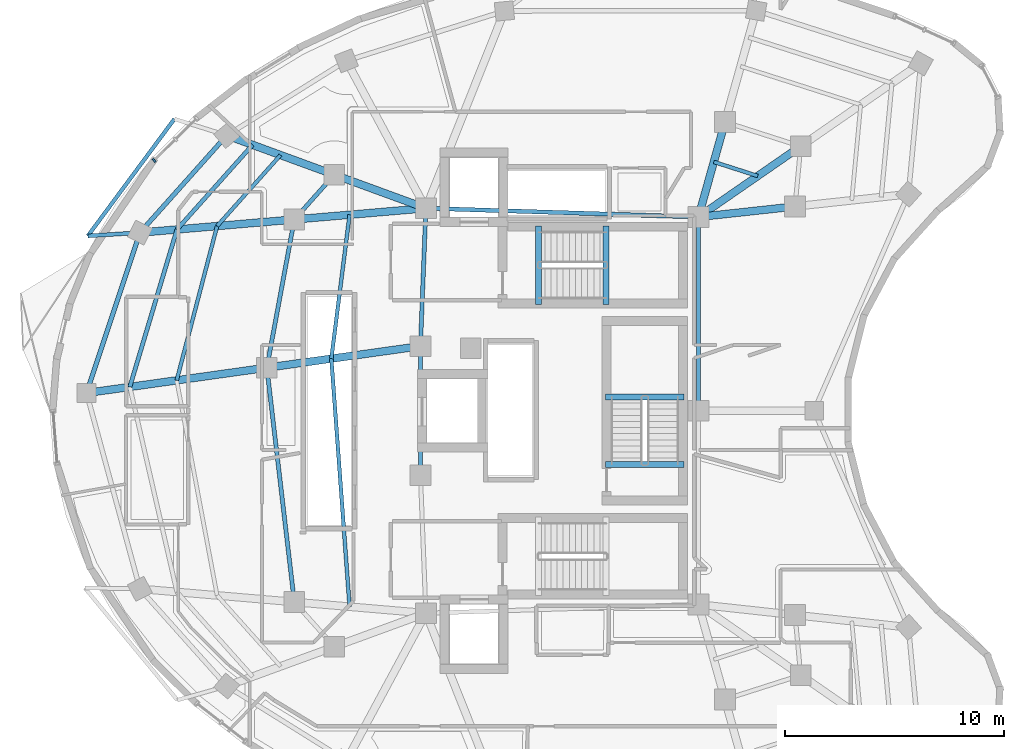
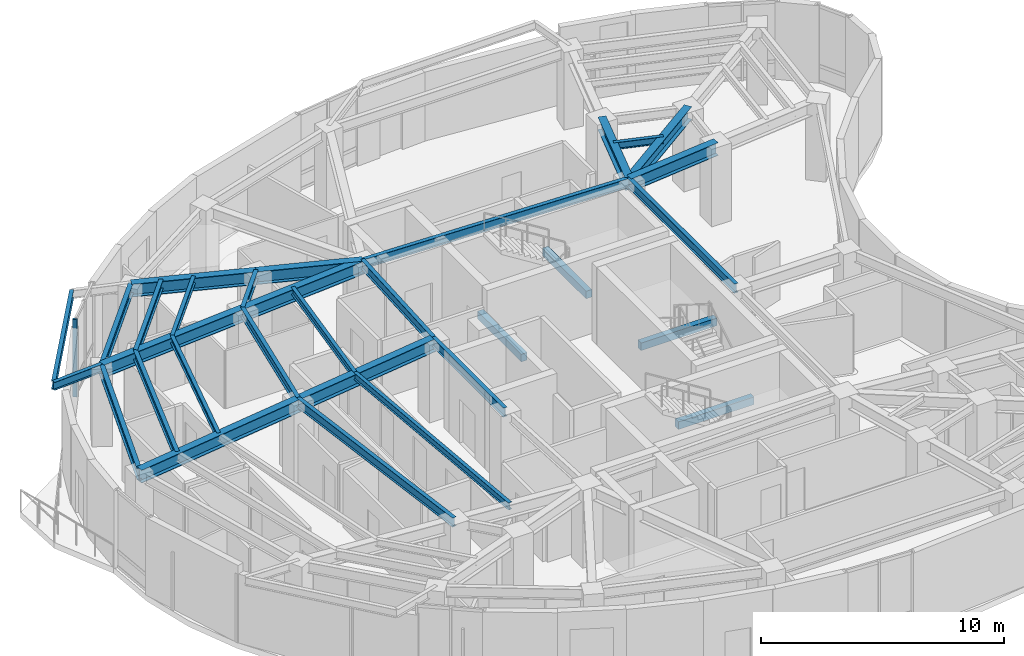
# One storey, part 3 of 14: 31 beams, 1 member, 1 element without a shape of its own.
"""IFC4 building model written with IfcOpenShell, lengths in metres."""

from ifc_helpers import new_model, si_unit, direction, frame, origin, origin_2d, place, context, subcontext, project, spatial, rectangle, i_section, extrude, material, layer, layer_set, material_profile, profile_set, type_object, element, aggregate, save


model = new_model("IFC4")

# Units and contexts
model_context = context("Model", 3, precision=1e-05, world=origin(), true_north=direction((0.0, 1.0)))
body_context = subcontext(model_context, "Body", "Model", "MODEL_VIEW")
ifc_project = project(units=[si_unit("LENGTHUNIT", "METRE"), si_unit("AREAUNIT", "SQUARE_METRE"), si_unit("VOLUMEUNIT", "CUBIC_METRE"), si_unit("PLANEANGLEUNIT", "RADIAN"), si_unit("MASSUNIT", "GRAM", prefix="KILO")], contexts=[model_context])

# Site, building, storey
site_placement = place(None, origin())
site = spatial("IfcSite", under=ifc_project, at=site_placement, CompositionType="ELEMENT")
building_placement = place(site_placement, origin())
building = spatial("IfcBuilding", under=site, at=building_placement, Name="Korentha Bioscience Tower", CompositionType="ELEMENT")
storey_placement = place(building_placement, frame((0.0, 0.0, 264.60009765625)))
storey = spatial("IfcBuildingStorey", under=building, at=storey_placement, Name="L61", CompositionType="ELEMENT", Elevation=264.60009765625)

# Beams
ifc_material_1 = material(Name="Concrete C50", Category="concrete")
ifc_material_profile_1 = material_profile(ifc_material_1, rectangle(XDim=0.280029296875, YDim=0.3798828125, at=origin_2d()), Name="Concrete C50")
ifc_profile_set_1 = profile_set([ifc_material_profile_1], Name="Concrete C50 (ST-HB380)")
beam_type_1 = type_object("IfcBeamType", Name="Concrete Stair Header Beam RC 280x380", PredefinedType="BEAM", material=ifc_profile_set_1)
for number, where, z_axis, x_axis, name in (
    (1, (30.25, 31.85009765625, -0.190185546875), (0.0, 1.0, 0.0), (-1.0, 0.0, 0.0), "L61 ST-1 Concrete Stair Header Beam"),
    (2, (33.330078125, 31.85009765625, 1.909912109375), (0.0, 1.0, 0.0), (-1.0, 0.0, 0.0), "L61 ST-1 Half-Landing Header Beam 1"),
    (3, (36.89990234375, 24.550048828125, -0.190185546875), (-1.0, 0.0, 0.0), (0.0, -1.0, 0.0), "L61 ST-3 Concrete Stair Header Beam"),
    (4, (36.89990234375, 27.6298828125, 1.909912109375), (-1.0, 0.0, 0.0), (0.0, -1.0, 0.0), "L61 ST-3 Half-Landing Header Beam 1"),
):
    element("IfcBeam", number, at=place(storey_placement, frame(where, z_axis=z_axis, x_axis=x_axis)), inside=storey, type_object=beam_type_1, Name=name, PredefinedType="BEAM", context=body_context, shape_type="SweptSolid", body=[
        extrude(rectangle(XDim=0.280029296875, YDim=0.3798828125, at=origin_2d()), origin(), (0.0, 0.0, 1.0), 3.599853515625),
    ])
ifc_material_2 = material(Name="Steel S355", Category="steel")
ifc_material_profile_2 = material_profile(ifc_material_2, i_section(OverallWidth=0.18994140625, OverallDepth=0.45703125, WebThickness=0.009033203125, FlangeThickness=0.014404296875, at=origin_2d()), Name="Steel S355")
ifc_profile_set_2 = profile_set([ifc_material_profile_2], Name="Steel S355 (MB-460)")
beam_type_2 = type_object("IfcBeamType", Name="Mid-Ring Tie Girder W460x74", PredefinedType="BEAM", material=ifc_profile_set_2)
beam_1_placement = place(storey_placement, frame((20.915283203125, 37.78125, 3.67138671875), z_axis=(-0.666159168073, -0.745809602239, 0.0), x_axis=(0.745809602239, -0.666159168073, 0.0)))
element("IfcBeam", 5, at=beam_1_placement, inside=storey, type_object=beam_type_2, Name="L61 Mid-Ring Tie Girder 05", PredefinedType="BEAM", context=body_context, shape_type="SweptSolid", body=[
    extrude(i_section(OverallWidth=0.18994140625, OverallDepth=0.45703125, WebThickness=0.009033203125, FlangeThickness=0.014404296875, at=origin_2d()), origin(), (0.0, 0.0, 1.0), 2.740234375),
])
beam_2_placement = place(storey_placement, frame((19.08984375, 35.737548828125, 3.67138671875), z_axis=(-0.182381206512, -0.98322789602, 0.0), x_axis=(0.98322789602, -0.182381206512, 0.0)))
element("IfcBeam", 6, at=beam_2_placement, inside=storey, type_object=beam_type_2, Name="L61 Mid-Ring Tie Girder 06", PredefinedType="BEAM", context=body_context, shape_type="SweptSolid", body=[
    extrude(i_section(OverallWidth=0.18994140625, OverallDepth=0.45703125, WebThickness=0.009033203125, FlangeThickness=0.014404296875, at=origin_2d()), origin(), (0.0, 0.0, 1.0), 6.88720703125),
])
beam_3_placement = place(storey_placement, frame((17.833740234375, 28.9658203125, 3.67138671875), z_axis=(0.116556015935, -0.993184119461, 0.0), x_axis=(0.993184119461, 0.116556015935, 0.0)))
element("IfcBeam", 7, at=beam_3_placement, inside=storey, type_object=beam_type_2, Name="L61 Mid-Ring Tie Girder 07", PredefinedType="BEAM", context=body_context, shape_type="SweptSolid", body=[
    extrude(i_section(OverallWidth=0.18994140625, OverallDepth=0.45703125, WebThickness=0.009033203125, FlangeThickness=0.014404296875, at=origin_2d()), origin(), (0.0, 0.0, 1.0), 10.77685546875),
])
beam_4_placement = place(storey_placement, frame((37.550048828125, 35.85009765625, 3.67138671875), z_axis=(-0.999484526071, 0.032104238723, 0.0), x_axis=(-0.032104238723, -0.999484526071, 0.0)))
element("IfcBeam", 8, at=beam_4_placement, inside=storey, type_object=beam_type_2, Name="L61 Core Ring Tie Girder 01", PredefinedType="BEAM", context=body_context, shape_type="SweptSolid", body=[
    extrude(i_section(OverallWidth=0.18994140625, OverallDepth=0.45703125, WebThickness=0.009033203125, FlangeThickness=0.014404296875, at=origin_2d()), origin(), (0.0, 0.0, 1.0), 12.456298828125),
])
beam_5_placement = place(storey_placement, frame((25.10009765625, 36.25, 3.67138671875), z_axis=(-0.039651025576, -0.999213588864, 0.0), x_axis=(0.999213588864, -0.039651025576, 0.0)))
element("IfcBeam", 9, at=beam_5_placement, inside=storey, type_object=beam_type_2, Name="L61 Core Ring Tie Girder 02", PredefinedType="BEAM", context=body_context, shape_type="SweptSolid", body=[
    extrude(i_section(OverallWidth=0.18994140625, OverallDepth=0.45703125, WebThickness=0.009033203125, FlangeThickness=0.014404296875, at=origin_2d()), origin(), (0.0, 0.0, 1.0), 6.304931640625),
])
beam_6_placement = place(storey_placement, frame((24.85009765625, 29.949951171875, 3.67138671875), z_axis=(0.0, -1.0, 0.0), x_axis=(1.0, 0.0, 0.0)))
element("IfcBeam", 10, at=beam_6_placement, inside=storey, type_object=beam_type_2, Name="L61 Core Ring Tie Girder 03", PredefinedType="BEAM", context=body_context, shape_type="SweptSolid", body=[
    extrude(i_section(OverallWidth=0.18994140625, OverallDepth=0.45703125, WebThickness=0.009033203125, FlangeThickness=0.014404296875, at=origin_2d()), origin(), (0.0, 0.0, 1.0), 5.89990234375),
])
beam_7_placement = place(storey_placement, frame((37.550048828125, 27.0, 3.67138671875), z_axis=(0.0, 1.0, 0.0), x_axis=(-1.0, 0.0, 0.0)))
element("IfcBeam", 11, at=beam_7_placement, inside=storey, type_object=beam_type_2, Name="L61 Core Ring Tie Girder 07", PredefinedType="BEAM", context=body_context, shape_type="SweptSolid", body=[
    extrude(i_section(OverallWidth=0.18994140625, OverallDepth=0.45703125, WebThickness=0.009033203125, FlangeThickness=0.014404296875, at=origin_2d()), origin(), (0.0, 0.0, 1.0), 8.85009765625),
])

# Curtain wall, member
ifc_material_3 = material(Name="Thermally Broken Aluminium Frame", Category="aluminium")
ifc_layer = layer(ifc_material_3, 0.219970703125, Name="Thermally Broken Aluminium Frame")
ifc_layer_set = layer_set([ifc_layer], Name="Thermally Broken Aluminium Frame (CW-T1)")
curtain_wall_type = type_object("IfcCurtainWallType", Name="Standard Bioscience Lab Unitised Curtain Wall CW-T1", PredefinedType="USERDEFINED", material=ifc_layer_set)
curtain_wall_placement = place(storey_placement, origin())
curtain_wall = element("IfcCurtainWall", 12, at=curtain_wall_placement, inside=storey, type_object=curtain_wall_type, Name="L61 Curtain Wall 13", ObjectType="UNITISED", PredefinedType="USERDEFINED")
ifc_material_4 = material(Name="Anodised Aluminium 6063-T6", Category="aluminium")
ifc_material_profile_3 = material_profile(ifc_material_4, rectangle(XDim=0.090087890625, YDim=0.199951171875, at=origin_2d()), Name="Anodised Aluminium 6063-T6")
ifc_profile_set_3 = profile_set([ifc_material_profile_3], Name="Anodised Aluminium 6063-T6 (CW-MUL)")
member_type = type_object("IfcMemberType", Name="Mullion RECT 90x200", PredefinedType="MULLION", material=ifc_profile_set_3)
member_placement = place(storey_placement, frame((12.680419921875, 38.43603515625, 0.0), z_axis=(0.0, 0.0, 1.0), x_axis=(-0.711397700041, -0.702789664392, 0.0)))
member = element("IfcMember", 13, at=member_placement, type_object=member_type, Name="CW-L61-13 Mullion 3", PredefinedType="MULLION", context=body_context, shape_type="SweptSolid", body=[
    extrude(rectangle(XDim=0.090087890625, YDim=0.199951171875, at=origin_2d()), origin(), (0.0, 0.0, 1.0), 3.89990234375),
])
aggregate(curtain_wall, [member])

# Beams
ifc_material_profile_4 = material_profile(ifc_material_2, i_section(OverallWidth=0.208984375, OverallDepth=0.532958984375, WebThickness=0.01025390625, FlangeThickness=0.015625, at=origin_2d()), Name="Steel S355")
ifc_profile_set_4 = profile_set([ifc_material_profile_4], Name="Steel S355 (SB-530)")
beam_type_3 = type_object("IfcBeamType", Name="Perimeter Ring Spandrel Girder W530x92", PredefinedType="SPANDREL", material=ifc_profile_set_4)
beam_8_placement = place(storey_placement, frame((16.002685546875, 39.57861328125, 3.63330078125), z_axis=(-0.666168059737, -0.745801660086, 0.0), x_axis=(0.745801660086, -0.666168059737, 0.0)))
element("IfcBeam", 14, at=beam_8_placement, inside=storey, type_object=beam_type_3, Name="L61 Perimeter Spandrel Girder 05", PredefinedType="SPANDREL", context=body_context, shape_type="SweptSolid", body=[
    extrude(i_section(OverallWidth=0.208984375, OverallDepth=0.532958984375, WebThickness=0.01025390625, FlangeThickness=0.015625, at=origin_2d()), origin(), (0.0, 0.0, 1.0), 5.956787109375),
])
beam_9_placement = place(storey_placement, frame((12.034423828125, 35.135986328125, 3.63330078125), z_axis=(-0.315658499219, -0.948872863913, 0.0), x_axis=(0.948872863913, -0.315658499219, 0.0)))
element("IfcBeam", 15, at=beam_9_placement, inside=storey, type_object=beam_type_3, Name="L61 Perimeter Spandrel Girder 06", PredefinedType="SPANDREL", context=body_context, shape_type="SweptSolid", body=[
    extrude(i_section(OverallWidth=0.208984375, OverallDepth=0.532958984375, WebThickness=0.01025390625, FlangeThickness=0.015625, at=origin_2d()), origin(), (0.0, 0.0, 1.0), 7.720458984375),
])
ifc_material_profile_5 = material_profile(ifc_material_2, i_section(OverallWidth=0.18994140625, OverallDepth=0.45703125, WebThickness=0.009033203125, FlangeThickness=0.014404296875, at=origin_2d()), Name="Steel S355")
ifc_profile_set_5 = profile_set([ifc_material_profile_5], Name="Steel S355 (RB-460)")
beam_type_4 = type_object("IfcBeamType", Name="Radial Laboratory Beam W460x74", PredefinedType="BEAM", material=ifc_profile_set_5)
beam_10_placement = place(storey_placement, frame((17.181884765625, 39.147216796875, 3.67138671875), z_axis=(-0.666197283, -0.745775556132, 0.0), x_axis=(0.745775556132, -0.666197283, 0.0)))
element("IfcBeam", 16, at=beam_10_placement, inside=storey, type_object=beam_type_4, Name="L61 Secondary Floor Beam JSTO-05", PredefinedType="BEAM", context=body_context, shape_type="SweptSolid", body=[
    extrude(i_section(OverallWidth=0.18994140625, OverallDepth=0.45703125, WebThickness=0.009033203125, FlangeThickness=0.014404296875, at=origin_2d()), origin(), (0.0, 0.0, 1.0), 5.184814453125),
])
beam_11_placement = place(storey_placement, frame((13.727783203125, 35.280517578125, 3.67138671875), z_axis=(-0.28682281491, -0.957983649572, 0.0), x_axis=(0.957983649572, -0.28682281491, 0.0)))
element("IfcBeam", 17, at=beam_11_placement, inside=storey, type_object=beam_type_4, Name="L61 Secondary Floor Beam JSTO-06", PredefinedType="BEAM", context=body_context, shape_type="SweptSolid", body=[
    extrude(i_section(OverallWidth=0.18994140625, OverallDepth=0.45703125, WebThickness=0.009033203125, FlangeThickness=0.014404296875, at=origin_2d()), origin(), (0.0, 0.0, 1.0), 7.50830078125),
])
ifc_material_profile_6 = material_profile(ifc_material_2, i_section(OverallWidth=0.35009765625, OverallDepth=0.64990234375, WebThickness=0.01611328125, FlangeThickness=0.02490234375, at=origin_2d()), Name="Steel S355")
ifc_profile_set_6 = profile_set([ifc_material_profile_6], Name="Steel S355 (RB-650)")
beam_type_5 = type_object("IfcBeamType", Name="Radial Laboratory Girder CVS 650x208", PredefinedType="BEAM", material=ifc_profile_set_6)
beam_12_placement = place(storey_placement, frame((37.550048828125, 35.85009765625, 3.574951171875), z_axis=(0.822500009141, 0.56876509647, 0.0), x_axis=(-0.56876509647, 0.822500009141, 0.0)))
element("IfcBeam", 18, at=beam_12_placement, inside=storey, type_object=beam_type_5, Name="L61 Inner Radial Girder 01", PredefinedType="BEAM", context=body_context, shape_type="SweptSolid", body=[
    extrude(i_section(OverallWidth=0.35009765625, OverallDepth=0.64990234375, WebThickness=0.01611328125, FlangeThickness=0.02490234375, at=origin_2d()), origin(), (0.0, 0.0, 1.0), 5.6796875),
])
beam_13_placement = place(storey_placement, frame((37.550048828125, 35.85009765625, 3.574951171875), z_axis=(0.269471139951, 0.963008465556, 0.0), x_axis=(-0.963008465556, 0.269471139951, 0.0)))
element("IfcBeam", 19, at=beam_13_placement, inside=storey, type_object=beam_type_5, Name="L61 Inner Radial Girder 02", PredefinedType="BEAM", context=body_context, shape_type="SweptSolid", body=[
    extrude(i_section(OverallWidth=0.35009765625, OverallDepth=0.64990234375, WebThickness=0.01611328125, FlangeThickness=0.02490234375, at=origin_2d()), origin(), (0.0, 0.0, 1.0), 4.505615234375),
])
beam_14_placement = place(storey_placement, frame((25.10009765625, 36.25, 3.574951171875), z_axis=(-0.939106897866, 0.343625136422, 0.0), x_axis=(-0.343625136422, -0.939106897866, 0.0)))
element("IfcBeam", 20, at=beam_14_placement, inside=storey, type_object=beam_type_5, Name="L61 Inner Radial Girder 05", PredefinedType="BEAM", context=body_context, shape_type="SweptSolid", body=[
    extrude(i_section(OverallWidth=0.35009765625, OverallDepth=0.64990234375, WebThickness=0.01611328125, FlangeThickness=0.02490234375, at=origin_2d()), origin(), (0.0, 0.0, 1.0), 4.4560546875),
])
beam_15_placement = place(storey_placement, frame((20.915283203125, 37.78125, 3.574951171875), z_axis=(-0.939118444477, 0.343593578583, 0.0), x_axis=(-0.343593578583, -0.939118444477, 0.0)))
element("IfcBeam", 21, at=beam_15_placement, inside=storey, type_object=beam_type_5, Name="L61 Outer Radial Girder 05", PredefinedType="BEAM", context=body_context, shape_type="SweptSolid", body=[
    extrude(i_section(OverallWidth=0.35009765625, OverallDepth=0.64990234375, WebThickness=0.01611328125, FlangeThickness=0.02490234375, at=origin_2d()), origin(), (0.0, 0.0, 1.0), 5.23095703125),
])
beam_16_placement = place(storey_placement, frame((25.10009765625, 36.25, 3.574951171875), z_axis=(-0.996384825277, -0.084954575849, 0.0), x_axis=(0.084954575849, -0.996384825277, 0.0)))
element("IfcBeam", 22, at=beam_16_placement, inside=storey, type_object=beam_type_5, Name="L61 Inner Radial Girder 06", PredefinedType="BEAM", context=body_context, shape_type="SweptSolid", body=[
    extrude(i_section(OverallWidth=0.35009765625, OverallDepth=0.64990234375, WebThickness=0.01611328125, FlangeThickness=0.02490234375, at=origin_2d()), origin(), (0.0, 0.0, 1.0), 6.031982421875),
])
beam_17_placement = place(storey_placement, frame((19.08984375, 35.737548828125, 3.574951171875), z_axis=(-0.996384854796, -0.084954229635, 0.0), x_axis=(0.084954229635, -0.996384854796, 0.0)))
element("IfcBeam", 23, at=beam_17_placement, inside=storey, type_object=beam_type_5, Name="L61 Outer Radial Girder 06", PredefinedType="BEAM", context=body_context, shape_type="SweptSolid", body=[
    extrude(i_section(OverallWidth=0.35009765625, OverallDepth=0.64990234375, WebThickness=0.01611328125, FlangeThickness=0.02490234375, at=origin_2d()), origin(), (0.0, 0.0, 1.0), 7.0810546875),
])
beam_18_placement = place(storey_placement, frame((24.85009765625, 29.949951171875, 3.574951171875), z_axis=(-0.990306038615, -0.138902663338, 0.0), x_axis=(0.138902663338, -0.990306038615, 0.0)))
element("IfcBeam", 24, at=beam_18_placement, inside=storey, type_object=beam_type_5, Name="L61 Inner Radial Girder 07", PredefinedType="BEAM", context=body_context, shape_type="SweptSolid", body=[
    extrude(i_section(OverallWidth=0.35009765625, OverallDepth=0.64990234375, WebThickness=0.01611328125, FlangeThickness=0.02490234375, at=origin_2d()), origin(), (0.0, 0.0, 1.0), 7.0849609375),
])
beam_19_placement = place(storey_placement, frame((17.833740234375, 28.9658203125, 3.574951171875), z_axis=(-0.990301560164, -0.138934588696, 0.0), x_axis=(0.138934588696, -0.990301560164, 0.0)))
element("IfcBeam", 25, at=beam_19_placement, inside=storey, type_object=beam_type_5, Name="L61 Outer Radial Girder 07", PredefinedType="BEAM", context=body_context, shape_type="SweptSolid", body=[
    extrude(i_section(OverallWidth=0.35009765625, OverallDepth=0.64990234375, WebThickness=0.01611328125, FlangeThickness=0.02490234375, at=origin_2d()), origin(), (0.0, 0.0, 1.0), 8.31689453125),
])
beam_20_placement = place(storey_placement, frame((37.550048828125, 35.85009765625, 3.574951171875), z_axis=(0.994121454153, 0.108270653423, 0.0), x_axis=(-0.108270653423, 0.994121454153, 0.0)))
element("IfcBeam", 26, at=beam_20_placement, inside=storey, type_object=beam_type_5, Name="L61 Inner Radial Girder 16", PredefinedType="BEAM", context=body_context, shape_type="SweptSolid", body=[
    extrude(i_section(OverallWidth=0.35009765625, OverallDepth=0.64990234375, WebThickness=0.01611328125, FlangeThickness=0.02490234375, at=origin_2d()), origin(), (0.0, 0.0, 1.0), 4.43994140625),
])
ifc_material_profile_7 = material_profile(ifc_material_2, i_section(OverallWidth=0.1708984375, OverallDepth=0.35498046875, WebThickness=0.007080078125, FlangeThickness=0.01171875, at=origin_2d()), Name="Steel S355")
ifc_profile_set_7 = profile_set([ifc_material_profile_7], Name="Steel S355 (JB-360)")
beam_type_6 = type_object("IfcBeamType", Name="Secondary Laboratory Joist W360x51", PredefinedType="JOIST", material=ifc_profile_set_7)
beam_21_placement = place(storey_placement, frame((40.259521484375, 37.7236328125, 3.722412109375), z_axis=(-0.952238215196, 0.305356155202, 0.0), x_axis=(-0.305356155202, -0.952238215196, 0.0)))
element("IfcBeam", 27, at=beam_21_placement, inside=storey, type_object=beam_type_6, Name="L61 Inner Bay Joist 01", PredefinedType="JOIST", context=body_context, shape_type="SweptSolid", body=[
    extrude(i_section(OverallWidth=0.1708984375, OverallDepth=0.35498046875, WebThickness=0.007080078125, FlangeThickness=0.01171875, at=origin_2d()), origin(), (0.0, 0.0, 1.0), 2.10595703125),
])
beam_22_placement = place(storey_placement, frame((18.458984375, 38.679931640625, 3.722412109375), z_axis=(-0.666180871809, -0.745790215836, 0.0), x_axis=(0.745790215836, -0.666180871809, 0.0)))
element("IfcBeam", 28, at=beam_22_placement, inside=storey, type_object=beam_type_6, Name="L61 Secondary Floor Beam JST-05", PredefinedType="JOIST", context=body_context, shape_type="SweptSolid", body=[
    extrude(i_section(OverallWidth=0.1708984375, OverallDepth=0.35498046875, WebThickness=0.007080078125, FlangeThickness=0.01171875, at=origin_2d()), origin(), (0.0, 0.0, 1.0), 4.3486328125),
])
beam_23_placement = place(storey_placement, frame((15.56201171875, 35.436767578125, 3.722412109375), z_axis=(-0.253407917841, -0.967359512888, 0.0), x_axis=(0.967359512888, -0.253407917841, 0.0)))
element("IfcBeam", 29, at=beam_23_placement, inside=storey, type_object=beam_type_6, Name="L61 Secondary Floor Beam JST-06", PredefinedType="JOIST", context=body_context, shape_type="SweptSolid", body=[
    extrude(i_section(OverallWidth=0.1708984375, OverallDepth=0.35498046875, WebThickness=0.007080078125, FlangeThickness=0.01171875, at=origin_2d()), origin(), (0.0, 0.0, 1.0), 7.286376953125),
])
beam_24_placement = place(storey_placement, frame((21.614013671875, 35.952880859375, 3.722412109375), z_axis=(-0.125784907958, -0.992057537107, 0.0), x_axis=(0.992057537107, -0.125784907958, 0.0)))
element("IfcBeam", 30, at=beam_24_placement, inside=storey, type_object=beam_type_6, Name="L61 Inner Bay Joist 06", PredefinedType="JOIST", context=body_context, shape_type="SweptSolid", body=[
    extrude(i_section(OverallWidth=0.1708984375, OverallDepth=0.35498046875, WebThickness=0.007080078125, FlangeThickness=0.01171875, at=origin_2d()), origin(), (0.0, 0.0, 1.0), 6.62646484375),
])
beam_25_placement = place(storey_placement, frame((20.780517578125, 29.379150390625, 3.722412109375), z_axis=(0.073354070829, -0.997305961224, 0.0), x_axis=(0.997305961224, 0.073354070829, 0.0)))
element("IfcBeam", 31, at=beam_25_placement, inside=storey, type_object=beam_type_6, Name="L61 Inner Bay Joist 07", PredefinedType="JOIST", context=body_context, shape_type="SweptSolid", body=[
    extrude(i_section(OverallWidth=0.1708984375, OverallDepth=0.35498046875, WebThickness=0.007080078125, FlangeThickness=0.01171875, at=origin_2d()), origin(), (0.0, 0.0, 1.0), 11.362548828125),
])
ifc_material_profile_8 = material_profile(ifc_material_2, i_section(OverallWidth=0.177978515625, OverallDepth=0.406982421875, WebThickness=0.0078125, FlangeThickness=0.0126953125, at=origin_2d()), Name="Steel S355")
ifc_profile_set_8 = profile_set([ifc_material_profile_8], Name="Steel S355 (CB-410)")
beam_type_7 = type_object("IfcBeamType", Name="Sun-Ledge Cantilever Beam W410x60", PredefinedType="BEAM", material=ifc_profile_set_8)
beam_26_placement = place(storey_placement, frame((12.034423828125, 35.135986328125, 3.698486328125), z_axis=(-0.998061345792, -0.062237850513, 0.0), x_axis=(0.062237850513, -0.998061345792, 0.0)))
element("IfcBeam", 32, at=beam_26_placement, inside=storey, type_object=beam_type_7, Name="L61 Balcony Cantilever Bracket B-L62-02", PredefinedType="BEAM", context=body_context, shape_type="SweptSolid", body=[
    extrude(i_section(OverallWidth=0.177978515625, OverallDepth=0.406982421875, WebThickness=0.0078125, FlangeThickness=0.0126953125, at=origin_2d()), origin(), (0.0, 0.0, 1.0), 2.381103515625),
])
beam_27_placement = place(storey_placement, frame((13.610595703125, 40.3291015625, 3.698486328125), z_axis=(-0.59484965291, -0.803836980011, 0.0), x_axis=(0.803836980011, -0.59484965291, 0.0)))
element("IfcBeam", 33, at=beam_27_placement, inside=storey, type_object=beam_type_7, Name="L61 Balcony Edge Trimmer Beam L62-02", PredefinedType="BEAM", context=body_context, shape_type="SweptSolid", body=[
    extrude(i_section(OverallWidth=0.177978515625, OverallDepth=0.406982421875, WebThickness=0.0078125, FlangeThickness=0.0126953125, at=origin_2d()), origin(), (0.0, 0.0, 1.0), 6.644775390625),
])

save(model, "model.ifc")
